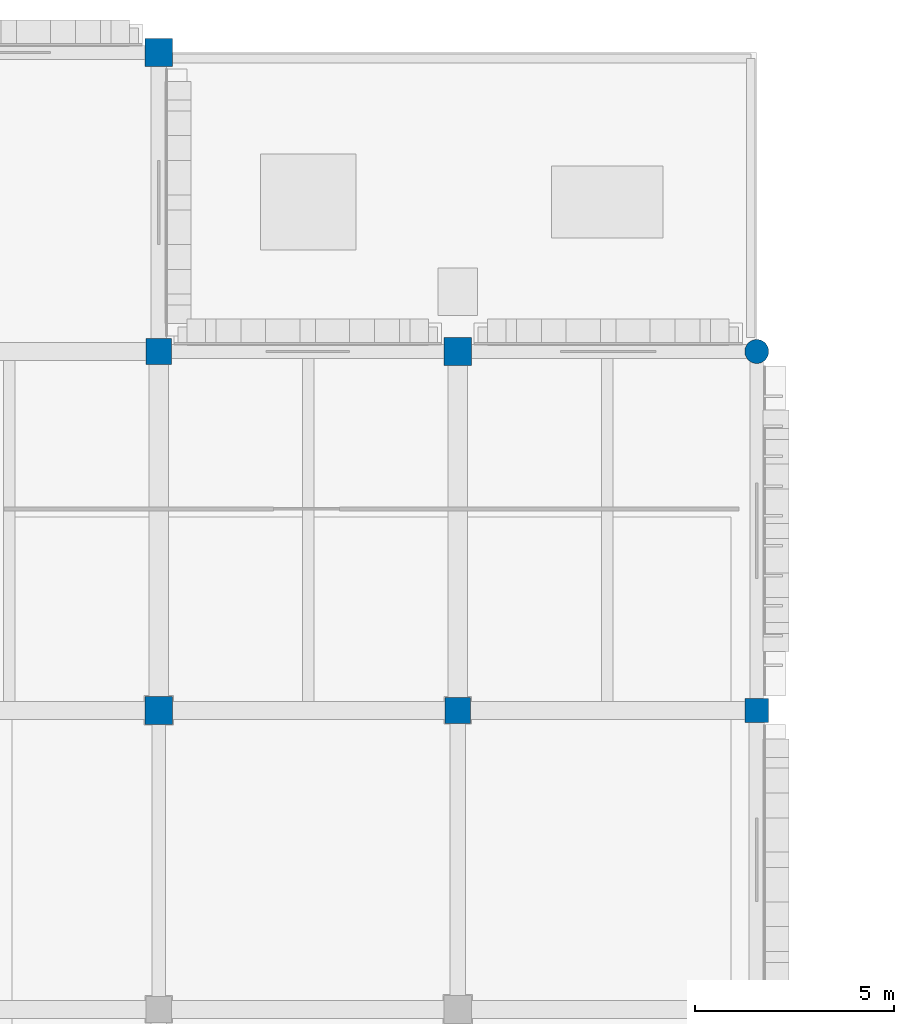
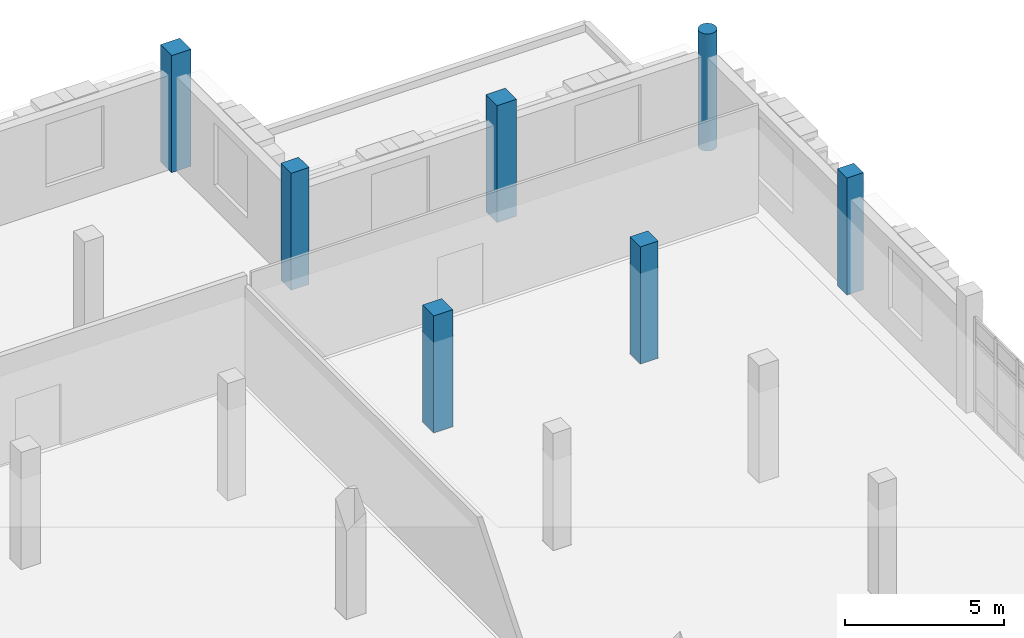
# One storey, part 12 of 128: 7 columns.
"""IFC4 building model written with IfcOpenShell, lengths in metres."""

import ifcopenshell
import ifcopenshell.guid

model = None  # the IFC model being written
_history = None  # IfcOwnerHistory: only IFC2X3 demands one
_inside = {}  # id of a spatial element -> (the spatial element, [elements in it])
_under = {}  # id of a project, library or spatial element -> (it, [spatial elements below it])
_declared = {}  # id of a project -> (the project, [libraries it declares])
_typed = {}  # id of a type object -> (the type object, [elements of that type])
_made_of = {}  # id of a material, layer set ... -> (it, [elements and type objects made of it])


def new_model(schema):
    """Start an empty IFC model of exactly this schema.

    Asked for "IFC4X3", IfcOpenShell would pick the latest addendum, in which some entities
    have other attributes; the version numbers below select the first issue.
    IFC2X3 requires an IfcOwnerHistory on every rooted entity: one is made here for all.
    """
    global model, _history
    if schema == "IFC4X3":
        model = ifcopenshell.file(schema_version=(4, 3, 0, 0))
    else:
        model = ifcopenshell.file(schema=schema)
    _inside.clear()
    _under.clear()
    _declared.clear()
    _typed.clear()
    _made_of.clear()
    _history = None
    if model.schema == "IFC2X3":
        org = make("IfcOrganization", Name="unknown")
        user = make(
            "IfcPersonAndOrganization",
            ThePerson=make("IfcPerson", FamilyName="unknown"),
            TheOrganization=org,
        )
        app = make(
            "IfcApplication",
            ApplicationDeveloper=org,
            Version="unknown",
            ApplicationFullName="unknown",
            ApplicationIdentifier="unknown",
        )
        _history = make(
            "IfcOwnerHistory",
            OwningUser=user,
            OwningApplication=app,
            ChangeAction="ADDED",
            CreationDate=0,
        )
    return model


def make(cls, **values):
    """One entity of the class cls with the attributes given. An attribute that is None is left unset."""
    return model.create_entity(
        cls, **{name: value for name, value in values.items() if value is not None}
    )


def rooted(cls, **values):
    """An entity with a GlobalId (a new one), such as an element, a storey or a relation."""
    return make(cls, GlobalId=ifcopenshell.guid.new(), OwnerHistory=_history, **values)


def si_unit(unit_type, name, prefix=None):
    """IfcSIUnit, for example si_unit("LENGTHUNIT", "METRE", prefix="MILLI")."""
    return make("IfcSIUnit", UnitType=unit_type, Prefix=prefix, Name=name)


def assignment(units):
    """IfcUnitAssignment: the units of a project."""
    return None if units is None else make("IfcUnitAssignment", Units=units)


def point(xyz):
    """IfcCartesianPoint."""
    return None if xyz is None else make("IfcCartesianPoint", Coordinates=xyz)


def direction(xyz):
    """IfcDirection."""
    return None if xyz is None else make("IfcDirection", DirectionRatios=xyz)


def frame(location, z_axis=None, x_axis=None):
    """IfcAxis2Placement3D, a coordinate frame: its origin and axes. An axis left out is left unset."""
    return make(
        "IfcAxis2Placement3D",
        Location=point(location),
        Axis=direction(z_axis),
        RefDirection=direction(x_axis),
    )


def frame_2d(location, x_axis=None):
    """IfcAxis2Placement2D, a coordinate frame in the plane: its origin and x axis."""
    return make(
        "IfcAxis2Placement2D", Location=point(location), RefDirection=direction(x_axis)
    )


def origin():
    """The frame at (0, 0, 0) with its axes left unset."""
    return frame((0.0, 0.0, 0.0))


def origin_2d():
    """The frame at (0, 0) in the plane with its x axis left unset."""
    return frame_2d((0.0, 0.0))


def place(relative_to, where):
    """IfcLocalPlacement: puts the frame where relative to a parent placement (None: the world)."""
    return make(
        "IfcLocalPlacement", PlacementRelTo=relative_to, RelativePlacement=where
    )


def context(
    kind, dimensions, precision=None, world=None, true_north=None, identifier=None
):
    """IfcGeometricRepresentationContext, for example the 3D "Model" context."""
    return make(
        "IfcGeometricRepresentationContext",
        ContextIdentifier=identifier,
        ContextType=kind,
        CoordinateSpaceDimension=dimensions,
        Precision=precision,
        WorldCoordinateSystem=world,
        TrueNorth=true_north,
    )


def subcontext(parent, identifier, kind, view, scale=None):
    """IfcGeometricRepresentationSubContext, for example "Body" below "Model"."""
    return make(
        "IfcGeometricRepresentationSubContext",
        ContextIdentifier=identifier,
        ContextType=kind,
        ParentContext=parent,
        TargetScale=scale,
        TargetView=view,
    )


def project(units=None, contexts=None):
    """IfcProject with its units and contexts."""
    return rooted(
        "IfcProject",
        Name="project",
        RepresentationContexts=contexts,
        UnitsInContext=assignment(units),
    )


def spatial(cls, under=None, at=None, **own):
    """A site, building, storey or space (cls), placed at a placement, below another one or the project."""
    s = rooted(cls, ObjectPlacement=at, **own)
    if under is not None:
        _under.setdefault(under.id(), (under, []))[1].append(s)
    return s


def profile(cls, at=None, kind="AREA", **sizes):
    """A parametric profile (cls). Its sizes go by their IFC names, for example OverallWidth=200.0."""
    return make(cls, ProfileType=kind, Position=at, **sizes)


def rectangle(**sizes):
    """IfcRectangleProfileDef."""
    return profile("IfcRectangleProfileDef", **sizes)


def circle(**sizes):
    """IfcCircleProfileDef."""
    return profile("IfcCircleProfileDef", **sizes)


def extrude(swept, where, along, depth):
    """IfcExtrudedAreaSolid: the profile swept, set in the frame where, extruded along a direction by depth."""
    return make(
        "IfcExtrudedAreaSolid",
        SweptArea=swept,
        Position=where,
        ExtrudedDirection=direction(along),
        Depth=depth,
    )


def shape(context_of_items, identifier, shape_type, items):
    """IfcShapeRepresentation: the items that make up one representation, for example the "Body"."""
    return make(
        "IfcShapeRepresentation",
        ContextOfItems=context_of_items,
        RepresentationIdentifier=identifier,
        RepresentationType=shape_type,
        Items=items,
    )


def material(Name=None, Category=None):
    """IfcMaterial."""
    return make("IfcMaterial", Name=Name, Category=Category)


def material_profile(
    of_material, cross_section, Name=None, Category=None, Priority=None
):
    """IfcMaterialProfile: a cross section and its material."""
    return make(
        "IfcMaterialProfile",
        Name=Name,
        Material=of_material,
        Profile=cross_section,
        Priority=Priority,
        Category=Category,
    )


def profile_set(profiles, Name=None, composite=None):
    """IfcMaterialProfileSet."""
    return make(
        "IfcMaterialProfileSet",
        Name=Name,
        MaterialProfiles=profiles,
        CompositeProfile=composite,
    )


def made_of(thing, what):
    """Note that an element or type object is made of a material, layer set ...; save() writes the relation."""
    if what is not None:
        _made_of.setdefault(what.id(), (what, []))[1].append(thing)
    return thing


def type_object(cls, material=None, **own):
    """A type object (cls), such as IfcWallType, which elements share."""
    return made_of(rooted(cls, **own), material)


def element(
    cls,
    number,
    at=None,
    inside=None,
    cuts=None,
    type_object=None,
    material=None,
    context=None,
    identifier="Body",
    shape_type=None,
    held_by="IfcProductDefinitionShape",
    body=None,
    shapes=None,
    **own,
):
    """One element of the class cls, such as IfcWall. Its Tag is "e" and its number.

    at: its placement. inside: the storey or other place that contains it. cuts: it is an
    opening in that element (IfcRelVoidsElement). A single representation is given by context,
    identifier, shape_type and body (its items); several are given by shapes. held_by: the class
    of the entity that holds the representations. save() writes the other relations.
    """
    e = rooted(cls, Tag="e%d" % number, ObjectPlacement=at, **own)
    if body is not None:
        shapes = [shape(context, identifier, shape_type, body)]
    if shapes is not None:
        e.Representation = make(held_by, Representations=shapes)
    if inside is not None:
        _inside.setdefault(inside.id(), (inside, []))[1].append(e)
    if cuts is not None:
        rooted(
            "IfcRelVoidsElement", RelatingBuildingElement=cuts, RelatedOpeningElement=e
        )
    if type_object is not None:
        _typed.setdefault(type_object.id(), (type_object, []))[1].append(e)
    return made_of(e, material)


def aggregate(whole, parts):
    """IfcRelAggregates: a whole, such as a stair, and the parts it consists of."""
    return rooted("IfcRelAggregates", RelatingObject=whole, RelatedObjects=parts)


def save(model, path):
    """Write the relations noted so far, then the file.

    IfcRelAggregates (storeys below a building ...), IfcRelContainedInSpatialStructure (elements
    in a storey), IfcRelDefinesByType, IfcRelAssociatesMaterial and IfcRelDeclares: one each for
    every whole, place, type object, material and project.
    """
    for whole, parts in _under.values():
        aggregate(whole, parts)
    for where, things in _inside.values():
        rooted(
            "IfcRelContainedInSpatialStructure",
            RelatedElements=things,
            RelatingStructure=where,
        )
    for kind, things in _typed.values():
        rooted("IfcRelDefinesByType", RelatedObjects=things, RelatingType=kind)
    for what, things in _made_of.values():
        rooted("IfcRelAssociatesMaterial", RelatedObjects=things, RelatingMaterial=what)
    for by, libraries in _declared.values():
        rooted("IfcRelDeclares", RelatingContext=by, RelatedDefinitions=libraries)
    model.write(path)


model = new_model("IFC4")

# Units and contexts
model_context = context("Model", 3, precision=1e-05, world=origin(), true_north=direction((0.0, 1.0)))
body_context = subcontext(model_context, "Body", "Model", "MODEL_VIEW")
ifc_project = project(units=[si_unit("LENGTHUNIT", "METRE"), si_unit("AREAUNIT", "SQUARE_METRE"), si_unit("VOLUMEUNIT", "CUBIC_METRE"), si_unit("PLANEANGLEUNIT", "RADIAN"), si_unit("MASSUNIT", "GRAM", prefix="KILO")], contexts=[model_context])

# Site, building, storey
site_placement = place(None, origin())
site = spatial("IfcSite", under=ifc_project, at=site_placement, CompositionType="ELEMENT")
building_placement = place(site_placement, origin())
building = spatial("IfcBuilding", under=site, at=building_placement, Name="Dalvernix Boulevard General Hospital", CompositionType="ELEMENT")
storey_placement = place(building_placement, frame((0.0, 0.0, 4.800048828125)))
storey = spatial("IfcBuildingStorey", under=building, at=storey_placement, Name="L01", CompositionType="ELEMENT", Elevation=4.800048828125)

# Columns
ifc_material = material(Name="Concrete C40/50", Category="concrete")
ifc_material_profile_1 = material_profile(ifc_material, rectangle(XDim=0.699951171875, YDim=0.699951171875, at=origin_2d()), Name="RC 700x700")
ifc_profile_set_1 = profile_set([ifc_material_profile_1], Name="Concrete C40/50")
column_type_1 = type_object("IfcColumnType", Name="COL-C-05-E", PredefinedType="COLUMN", material=ifc_profile_set_1)
for number, where, z_axis, x_axis, name in (
    (1, (127.5, 117.0, 0.0), (0.0, 0.0, 1.0), (1.0, 0.0, 0.0), "L01 column 18R"),
    (2, (135.0, 109.5, 0.0), (0.0, 0.0, 1.0), (1.0, 0.0, 0.0), "L01 column 19Q"),
):
    element("IfcColumn", number, at=place(storey_placement, frame(where, z_axis=z_axis, x_axis=x_axis)), inside=storey, type_object=column_type_1, Name=name, PredefinedType="COLUMN", context=body_context, shape_type="SweptSolid", body=[
        extrude(rectangle(XDim=0.699951171875, YDim=0.699951171875, at=origin_2d()), origin(), (0.0, 0.0, 1.0), 4.5),
    ])
ifc_material_profile_2 = material_profile(ifc_material, rectangle(XDim=0.699951171875, YDim=0.699951171875, at=origin_2d()), Name="RC 700x700")
ifc_profile_set_2 = profile_set([ifc_material_profile_2], Name="Concrete C40/50")
column_type_2 = type_object("IfcColumnType", Name="COL-C-05-I", PredefinedType="COLUMN", material=ifc_profile_set_2)
column_1_placement = place(storey_placement, frame((127.5, 100.5, 0.0), z_axis=(0.0, 0.0, 1.0), x_axis=(1.0, 0.0, 0.0)))
element("IfcColumn", 3, at=column_1_placement, inside=storey, type_object=column_type_2, Name="L01 column 18P", PredefinedType="COLUMN", context=body_context, shape_type="SweptSolid", body=[
    extrude(rectangle(XDim=0.699951171875, YDim=0.699951171875, at=origin_2d()), origin(), (0.0, 0.0, 1.0), 4.5),
])
ifc_material_profile_3 = material_profile(ifc_material, rectangle(XDim=0.64990234375, YDim=0.64990234375, at=origin_2d()), Name="RC 650x650")
ifc_profile_set_3 = profile_set([ifc_material_profile_3], Name="Concrete C40/50")
column_type_3 = type_object("IfcColumnType", Name="COL-C-06-E", PredefinedType="COLUMN", material=ifc_profile_set_3)
column_2_placement = place(storey_placement, frame((127.5, 109.5, 0.0), z_axis=(0.0, 0.0, 1.0), x_axis=(1.0, 0.0, 0.0)))
element("IfcColumn", 4, at=column_2_placement, inside=storey, type_object=column_type_3, Name="L01 column 18Q", PredefinedType="COLUMN", context=body_context, shape_type="SweptSolid", body=[
    extrude(rectangle(XDim=0.64990234375, YDim=0.64990234375, at=origin_2d()), origin(), (0.0, 0.0, 1.0), 4.5),
])
ifc_material_profile_4 = material_profile(ifc_material, rectangle(XDim=0.64990234375, YDim=0.64990234375, at=origin_2d()), Name="RC 650x650")
ifc_profile_set_4 = profile_set([ifc_material_profile_4], Name="Concrete C40/50")
column_type_4 = type_object("IfcColumnType", Name="COL-C-06-I", PredefinedType="COLUMN", material=ifc_profile_set_4)
column_3_placement = place(storey_placement, frame((135.0, 100.5, 0.0), z_axis=(0.0, 0.0, 1.0), x_axis=(1.0, 0.0, 0.0)))
element("IfcColumn", 5, at=column_3_placement, inside=storey, type_object=column_type_4, Name="L01 column 19P", PredefinedType="COLUMN", context=body_context, shape_type="SweptSolid", body=[
    extrude(rectangle(XDim=0.64990234375, YDim=0.64990234375, at=origin_2d()), origin(), (0.0, 0.0, 1.0), 4.5),
])
ifc_material_profile_5 = material_profile(ifc_material, rectangle(XDim=0.60009765625, YDim=0.60009765625, at=origin_2d()), Name="RC 600x600")
ifc_profile_set_5 = profile_set([ifc_material_profile_5], Name="Concrete C40/50")
column_type_5 = type_object("IfcColumnType", Name="COL-C-07-E", PredefinedType="COLUMN", material=ifc_profile_set_5)
column_4_placement = place(storey_placement, frame((142.5, 100.5, 0.0), z_axis=(0.0, 0.0, 1.0), x_axis=(1.0, 0.0, 0.0)))
element("IfcColumn", 6, at=column_4_placement, inside=storey, type_object=column_type_5, Name="L01 column 20P", PredefinedType="COLUMN", context=body_context, shape_type="SweptSolid", body=[
    extrude(rectangle(XDim=0.60009765625, YDim=0.60009765625, at=origin_2d()), origin(), (0.0, 0.0, 1.0), 4.5),
])
ifc_material_profile_6 = material_profile(ifc_material, circle(Radius=0.300048828125, at=origin_2d()), Name="RC D600")
ifc_profile_set_6 = profile_set([ifc_material_profile_6], Name="Concrete C40/50")
column_type_6 = type_object("IfcColumnType", Name="COL-C-15-E", PredefinedType="COLUMN", material=ifc_profile_set_6)
column_5_placement = place(storey_placement, frame((142.5, 109.5, 0.0), z_axis=(0.0, 0.0, 1.0), x_axis=(1.0, 0.0, 0.0)))
element("IfcColumn", 7, at=column_5_placement, inside=storey, type_object=column_type_6, Name="L01 column 20Q", PredefinedType="COLUMN", context=body_context, shape_type="SweptSolid", body=[
    extrude(circle(Radius=0.300048828125, at=origin_2d()), origin(), (0.0, 0.0, 1.0), 4.5),
])

save(model, "model.ifc")
